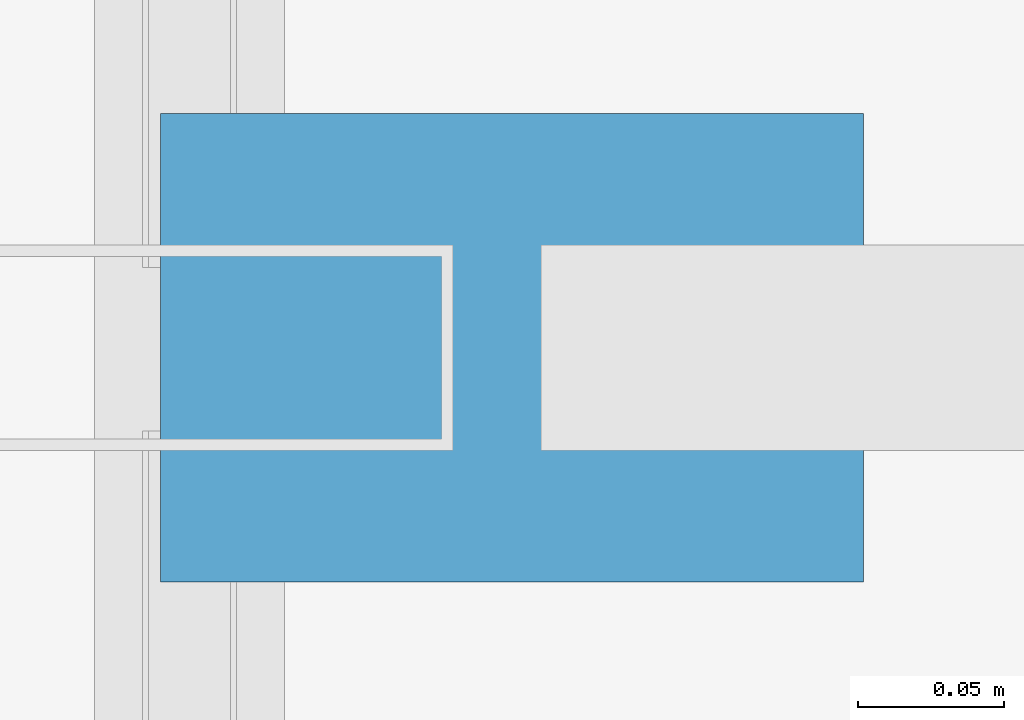
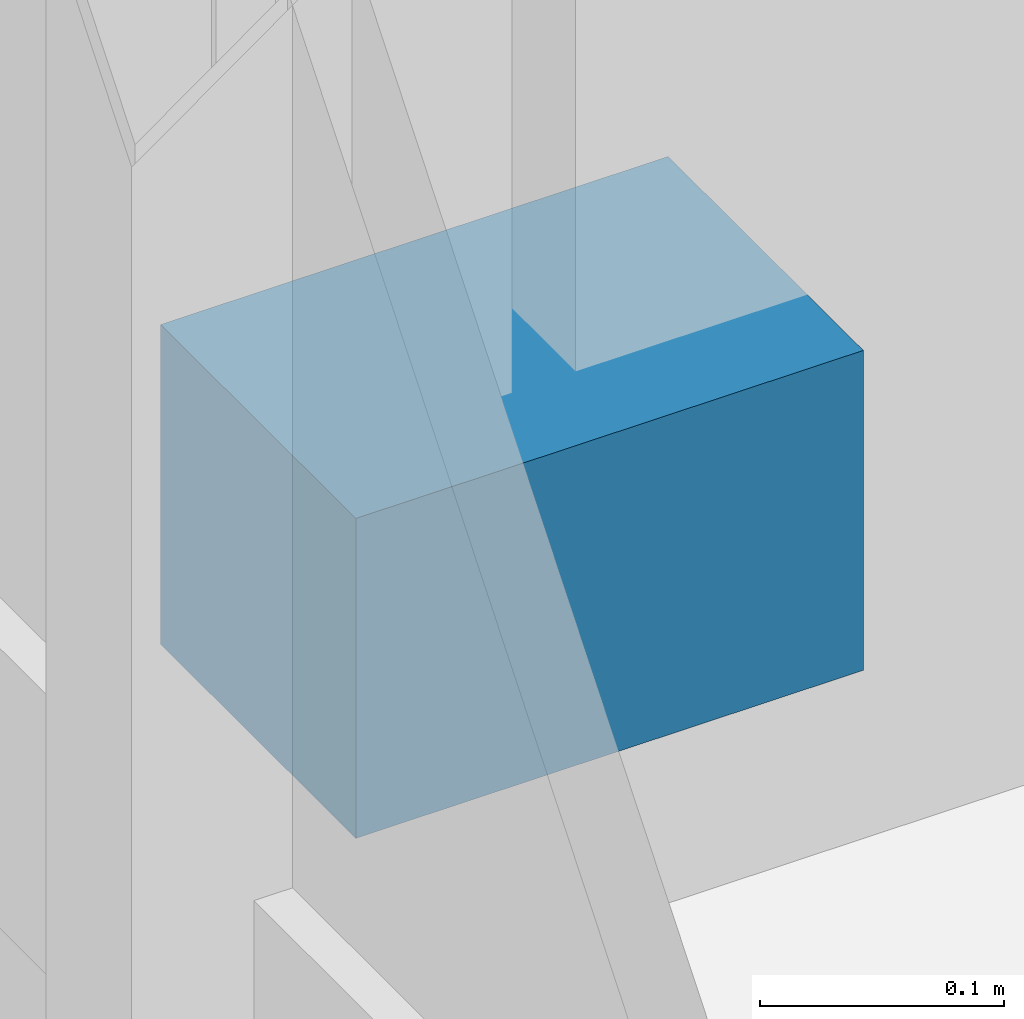
# One storey, part 29 of 37: 1 discrete accessory.
"""IFC4 building model written with IfcOpenShell, lengths in metres."""

from ifc_helpers import new_model, si_unit, direction, frame, origin, origin_2d, place, context, subcontext, project, spatial, rectangle, extrude, material, type_object, element, save


model = new_model("IFC4")

# Units and contexts
model_context = context("Model", 3, precision=1e-05, world=origin(), true_north=direction((0.0, 1.0)))
body_context = subcontext(model_context, "Body", "Model", "MODEL_VIEW")
ifc_project = project(units=[si_unit("LENGTHUNIT", "METRE"), si_unit("AREAUNIT", "SQUARE_METRE"), si_unit("VOLUMEUNIT", "CUBIC_METRE"), si_unit("PLANEANGLEUNIT", "RADIAN"), si_unit("MASSUNIT", "GRAM", prefix="KILO")], contexts=[model_context])

# Site, building, storey
site_placement = place(None, origin())
site = spatial("IfcSite", under=ifc_project, at=site_placement, CompositionType="ELEMENT")
building_placement = place(site_placement, origin())
building = spatial("IfcBuilding", under=site, at=building_placement, Name="Hatsunagi Terrace Concourse", CompositionType="ELEMENT")
storey_placement = place(building_placement, frame((0.0, 0.0, 50.0)))
storey = spatial("IfcBuildingStorey", under=building, at=storey_placement, Name="L12", CompositionType="ELEMENT", Elevation=50.0)

# Discrete accessory
ifc_material = material(Name="Stainless Steel SUS316 Bracket", Category="steel")
discrete_accessory_type = type_object("IfcDiscreteAccessoryType", Name="FacadeScreenSupportBracket_SS", PredefinedType="BRACKET", material=ifc_material)
discrete_accessory_placement = place(storey_placement, frame((0.25, 45.73388671875, 0.97021484375), z_axis=(0.0, 0.0, 1.0), x_axis=(0.0, 1.0, 0.0)))
element("IfcDiscreteAccessory", 1, at=discrete_accessory_placement, inside=storey, type_object=discrete_accessory_type, Name="Terracotta Screen Bracket BRK-01", PredefinedType="BRACKET", context=body_context, shape_type="SweptSolid", body=[
    extrude(rectangle(XDim=0.159912109375, YDim=0.239990234375, at=origin_2d()), origin(), (0.0, 0.0, 1.0), 0.159912109375),
])

save(model, "model.ifc")
